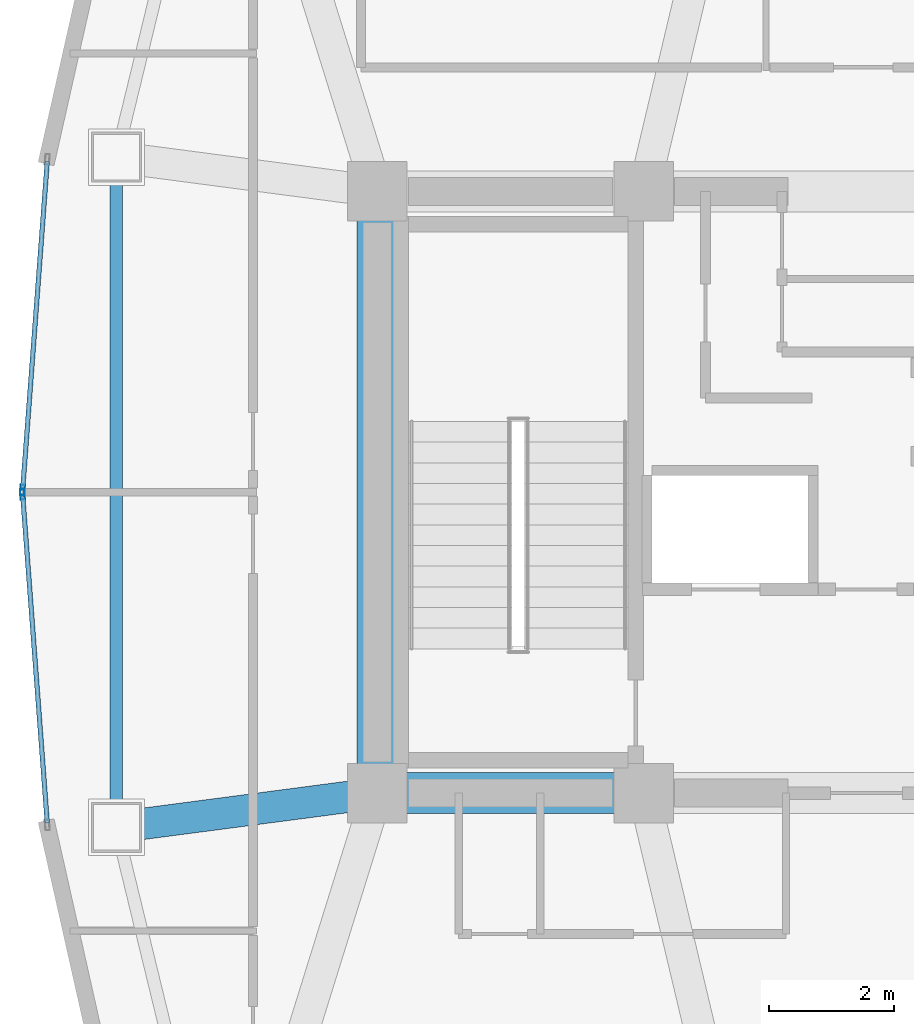
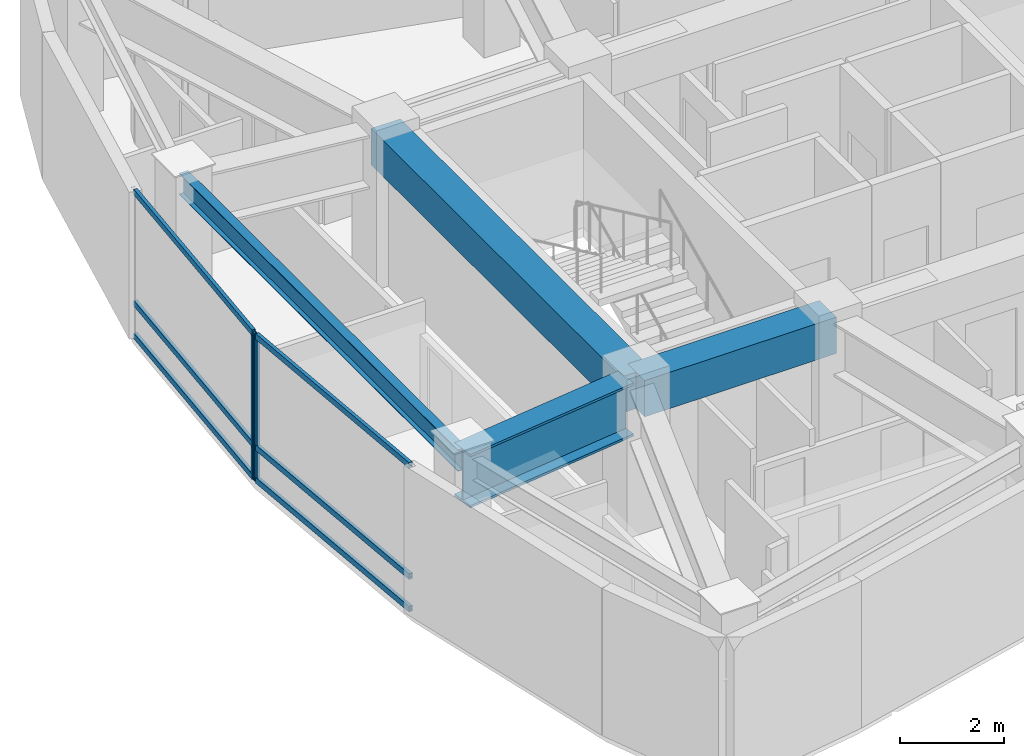
# One storey, part 4 of 15: 8 members, 4 beams, 2 elements without a shape of their own.
"""IFC4 building model written with IfcOpenShell, lengths in metres."""

from ifc_helpers import new_model, si_unit, direction, frame, origin, origin_2d, place, context, subcontext, project, spatial, rectangle, hollow_rectangle, i_section, extrude, material, layer, layer_set, material_profile, profile_set, type_object, element, aggregate, save


model = new_model("IFC4")

# Units and contexts
model_context = context("Model", 3, precision=1e-05, world=origin(), true_north=direction((0.0, 1.0)))
body_context = subcontext(model_context, "Body", "Model", "MODEL_VIEW")
ifc_project = project(units=[si_unit("LENGTHUNIT", "METRE"), si_unit("AREAUNIT", "SQUARE_METRE"), si_unit("VOLUMEUNIT", "CUBIC_METRE"), si_unit("PLANEANGLEUNIT", "RADIAN"), si_unit("MASSUNIT", "GRAM", prefix="KILO")], contexts=[model_context])

# Site, building, storey
site_placement = place(None, origin())
site = spatial("IfcSite", under=ifc_project, at=site_placement, CompositionType="ELEMENT")
building_placement = place(site_placement, origin())
building = spatial("IfcBuilding", under=site, at=building_placement, Name="Menara Vayukalpa", CompositionType="ELEMENT")
storey_placement = place(building_placement, frame((0.0, 0.0, 295.5)))
storey = spatial("IfcBuildingStorey", under=building, at=storey_placement, Name="L75", CompositionType="ELEMENT", Elevation=295.5)

# Beams
ifc_material_1 = material(Name="Concrete C60/75", Category="concrete")
ifc_material_profile_1 = material_profile(ifc_material_1, rectangle(XDim=0.64990234375, YDim=0.85009765625, at=origin_2d()), Name="RC 650x850")
ifc_profile_set_1 = profile_set([ifc_material_profile_1], Name="Concrete C60/75")
beam_type_1 = type_object("IfcBeamType", Name="BM-CB1", PredefinedType="BEAM", material=ifc_profile_set_1)
beam_1_placement = place(storey_placement, frame((17.800048828125, 17.199951171875, 3.014892578125), z_axis=(1.0, 0.0, 0.0), x_axis=(0.0, 1.0, 0.0)))
element("IfcBeam", 1, at=beam_1_placement, inside=storey, type_object=beam_type_1, Name="L75 Core Tie Beam CBR1", PredefinedType="BEAM", context=body_context, shape_type="SweptSolid", body=[
    extrude(rectangle(XDim=0.64990234375, YDim=0.85009765625, at=origin_2d()), origin(), (0.0, 0.0, 1.0), 4.25),
])
beam_2_placement = place(storey_placement, frame((17.800048828125, 17.199951171875, 3.014892578125), z_axis=(0.0, 1.0, 0.0), x_axis=(-1.0, 0.0, 0.0)))
element("IfcBeam", 2, at=beam_2_placement, inside=storey, type_object=beam_type_1, Name="L75 Core Tie Beam CBR7", PredefinedType="BEAM", context=body_context, shape_type="SweptSolid", body=[
    extrude(rectangle(XDim=0.64990234375, YDim=0.85009765625, at=origin_2d()), origin(), (0.0, 0.0, 1.0), 9.60009765625),
])
ifc_material_2 = material(Name="Steel S355", Category="steel")
ifc_material_profile_2 = material_profile(ifc_material_2, i_section(OverallWidth=0.199951171875, OverallDepth=0.5, WebThickness=0.010009765625, FlangeThickness=0.01611328125, at=origin_2d()), Name="WF 500x200x10x16")
ifc_profile_set_2 = profile_set([ifc_material_profile_2], Name="Steel S355")
beam_type_2 = type_object("IfcBeamType", Name="BM-SP3", PredefinedType="SPANDREL", material=ifc_profile_set_2)
beam_3_placement = place(storey_placement, frame((13.638916015625, 27.3466796875, 3.18994140625), z_axis=(0.0, -1.0, 0.0), x_axis=(1.0, 0.0, 0.0)))
element("IfcBeam", 3, at=beam_3_placement, inside=storey, type_object=beam_type_2, Name="L75 Perimeter Spandrel Beam SP05", PredefinedType="SPANDREL", context=body_context, shape_type="SweptSolid", body=[
    extrude(i_section(OverallWidth=0.199951171875, OverallDepth=0.5, WebThickness=0.010009765625, FlangeThickness=0.01611328125, at=origin_2d()), origin(), (0.0, 0.0, 1.0), 10.693359375),
])
ifc_material_3 = material(Name="Steel S460", Category="steel")
ifc_material_profile_3 = material_profile(ifc_material_3, i_section(OverallWidth=0.5, OverallDepth=1.25, WebThickness=0.028076171875, FlangeThickness=0.054931640625, at=origin_2d()), Name="WG 1250x500x28x55")
ifc_profile_set_3 = profile_set([ifc_material_profile_3], Name="Steel S460")
beam_type_3 = type_object("IfcBeamType", Name="BM-TG2", PredefinedType="BEAM", material=ifc_profile_set_3)
beam_4_placement = place(storey_placement, frame((17.552001953125, 17.16748046875, 2.81494140625), z_axis=(-0.991477860763, -0.130275291662, 0.0), x_axis=(0.130275291662, -0.991477860763, 0.0)))
element("IfcBeam", 4, at=beam_4_placement, inside=storey, type_object=beam_type_3, Name="L75 Primary Radial Girder RG06", PredefinedType="BEAM", context=body_context, shape_type="SweptSolid", body=[
    extrude(i_section(OverallWidth=0.5, OverallDepth=1.25, WebThickness=0.028076171875, FlangeThickness=0.054931640625, at=origin_2d()), origin(), (0.0, 0.0, 1.0), 3.94677734375),
])

# Curtain wall, member
ifc_material_4 = material(Name="Anodised Terracotta Aluminium Alloy 6063-T6", Category="masonry")
ifc_layer = layer(ifc_material_4, 0.1650390625)
ifc_layer_set = layer_set([ifc_layer], Name="Anodised Terracotta Aluminium Alloy 6063-T6")
curtain_wall_type = type_object("IfcCurtainWallType", Name="CW-CW6", PredefinedType="USERDEFINED", material=ifc_layer_set)
curtain_wall_1_placement = place(storey_placement, origin())
curtain_wall_1 = element("IfcCurtainWall", 5, at=curtain_wall_1_placement, inside=storey, type_object=curtain_wall_type, Name="L75 Observation and Executive Curtain Wall CW6 10", ObjectType="UNITISED", PredefinedType="USERDEFINED")
ifc_material_5 = material(Name="Anodised Terracotta Aluminium Alloy 6063-T6", Category="masonry")
ifc_material_profile_4 = material_profile(ifc_material_5, hollow_rectangle(XDim=0.070068359375, YDim=0.1650390625, WallThickness=0.00390625, at=origin_2d()), Name="ALU 70x165x4")
ifc_profile_set_4 = profile_set([ifc_material_profile_4], Name="Anodised Terracotta Aluminium Alloy 6063-T6")
member_type_1 = type_object("IfcMemberType", Name="CWM-CW6", PredefinedType="MULLION", material=ifc_profile_set_4)
member_1_placement = place(storey_placement, frame((12.140625, 22.034912109375, 0.0), z_axis=(0.0, 0.0, 1.0), x_axis=(0.997199344663, -0.074789484574, 0.0)))
member_1 = element("IfcMember", 6, at=member_1_placement, type_object=member_type_1, Name="CW6 mullion 2", PredefinedType="MULLION", context=body_context, shape_type="SweptSolid", body=[
    extrude(hollow_rectangle(XDim=0.070068359375, YDim=0.1650390625, WallThickness=0.00390625, at=origin_2d()), origin(), (0.0, 0.0, 1.0), 3.43994140625),
])

curtain_wall_2_placement = place(storey_placement, origin())
curtain_wall_2 = element("IfcCurtainWall", 7, at=curtain_wall_2_placement, inside=storey, type_object=curtain_wall_type, Name="L75 Observation and Executive Curtain Wall CW6 11", ObjectType="UNITISED", PredefinedType="USERDEFINED")
member_2_placement = place(storey_placement, frame((12.140625, 21.965087890625, 0.0), z_axis=(0.0, 0.0, 1.0), x_axis=(0.997199344663, 0.074789484574, 0.0)))
member_2 = element("IfcMember", 8, at=member_2_placement, type_object=member_type_1, Name="CW6 mullion 1", PredefinedType="MULLION", context=body_context, shape_type="SweptSolid", body=[
    extrude(hollow_rectangle(XDim=0.070068359375, YDim=0.1650390625, WallThickness=0.00390625, at=origin_2d()), origin(), (0.0, 0.0, 1.0), 3.43994140625),
])

# Member
ifc_material_6 = material(Name="Anodised Terracotta Aluminium Alloy 6063-T6", Category="masonry")
ifc_material_profile_5 = material_profile(ifc_material_6, hollow_rectangle(XDim=0.074951171875, YDim=0.135009765625, WallThickness=0.00390625, at=origin_2d()), Name="ALU 75x135x4")
ifc_profile_set_5 = profile_set([ifc_material_profile_5], Name="Anodised Terracotta Aluminium Alloy 6063-T6")
member_type_2 = type_object("IfcMemberType", Name="CWT-CW6", PredefinedType="USERDEFINED", material=ifc_profile_set_5)
member_3_placement = place(storey_placement, frame((12.53369140625, 27.27685546875, 0.03759765625), z_axis=(-0.074762051827, -0.997201401727, 0.0), x_axis=(0.997201401727, -0.074762051827, 0.0)))
member_3 = element("IfcMember", 9, at=member_3_placement, type_object=member_type_2, Name="CW6 transom 1.1", ObjectType="TRANSOM", PredefinedType="USERDEFINED", context=body_context, shape_type="SweptSolid", body=[
    extrude(hollow_rectangle(XDim=0.074951171875, YDim=0.135009765625, WallThickness=0.00390625, at=origin_2d()), origin(), (0.0, 0.0, 1.0), 5.2216796875),
])

member_4_placement = place(storey_placement, frame((12.53369140625, 27.27685546875, 0.800048828125), z_axis=(-0.074762051827, -0.997201401727, 0.0), x_axis=(0.997201401727, -0.074762051827, 0.0)))
member_4 = element("IfcMember", 10, at=member_4_placement, type_object=member_type_2, Name="CW6 transom 1.2", ObjectType="TRANSOM", PredefinedType="USERDEFINED", context=body_context, shape_type="SweptSolid", body=[
    extrude(hollow_rectangle(XDim=0.074951171875, YDim=0.135009765625, WallThickness=0.00390625, at=origin_2d()), origin(), (0.0, 0.0, 1.0), 5.2216796875),
])

member_5_placement = place(storey_placement, frame((12.53369140625, 27.27685546875, 3.402587890625), z_axis=(-0.074762051827, -0.997201401727, 0.0), x_axis=(0.997201401727, -0.074762051827, 0.0)))
member_5 = element("IfcMember", 11, at=member_5_placement, type_object=member_type_2, Name="CW6 transom 1.3", ObjectType="TRANSOM", PredefinedType="USERDEFINED", context=body_context, shape_type="SweptSolid", body=[
    extrude(hollow_rectangle(XDim=0.074951171875, YDim=0.135009765625, WallThickness=0.00390625, at=origin_2d()), origin(), (0.0, 0.0, 1.0), 5.2216796875),
])

aggregate(curtain_wall_1, [member_1, member_3, member_4, member_5])

member_6_placement = place(storey_placement, frame((12.143310546875, 21.93017578125, 0.03759765625), z_axis=(0.074762051827, -0.997201401727, 0.0), x_axis=(0.997201401727, 0.074762051827, 0.0)))
member_6 = element("IfcMember", 12, at=member_6_placement, type_object=member_type_2, Name="CW6 transom 1.1", ObjectType="TRANSOM", PredefinedType="USERDEFINED", context=body_context, shape_type="SweptSolid", body=[
    extrude(hollow_rectangle(XDim=0.074951171875, YDim=0.135009765625, WallThickness=0.00390625, at=origin_2d()), origin(), (0.0, 0.0, 1.0), 5.2216796875),
])

member_7_placement = place(storey_placement, frame((12.143310546875, 21.93017578125, 0.800048828125), z_axis=(0.074762051827, -0.997201401727, 0.0), x_axis=(0.997201401727, 0.074762051827, 0.0)))
member_7 = element("IfcMember", 13, at=member_7_placement, type_object=member_type_2, Name="CW6 transom 1.2", ObjectType="TRANSOM", PredefinedType="USERDEFINED", context=body_context, shape_type="SweptSolid", body=[
    extrude(hollow_rectangle(XDim=0.074951171875, YDim=0.135009765625, WallThickness=0.00390625, at=origin_2d()), origin(), (0.0, 0.0, 1.0), 5.2216796875),
])

member_8_placement = place(storey_placement, frame((12.143310546875, 21.93017578125, 3.402587890625), z_axis=(0.074762051827, -0.997201401727, 0.0), x_axis=(0.997201401727, 0.074762051827, 0.0)))
member_8 = element("IfcMember", 14, at=member_8_placement, type_object=member_type_2, Name="CW6 transom 1.3", ObjectType="TRANSOM", PredefinedType="USERDEFINED", context=body_context, shape_type="SweptSolid", body=[
    extrude(hollow_rectangle(XDim=0.074951171875, YDim=0.135009765625, WallThickness=0.00390625, at=origin_2d()), origin(), (0.0, 0.0, 1.0), 5.2216796875),
])

aggregate(curtain_wall_2, [member_2, member_6, member_7, member_8])

save(model, "model.ifc")
